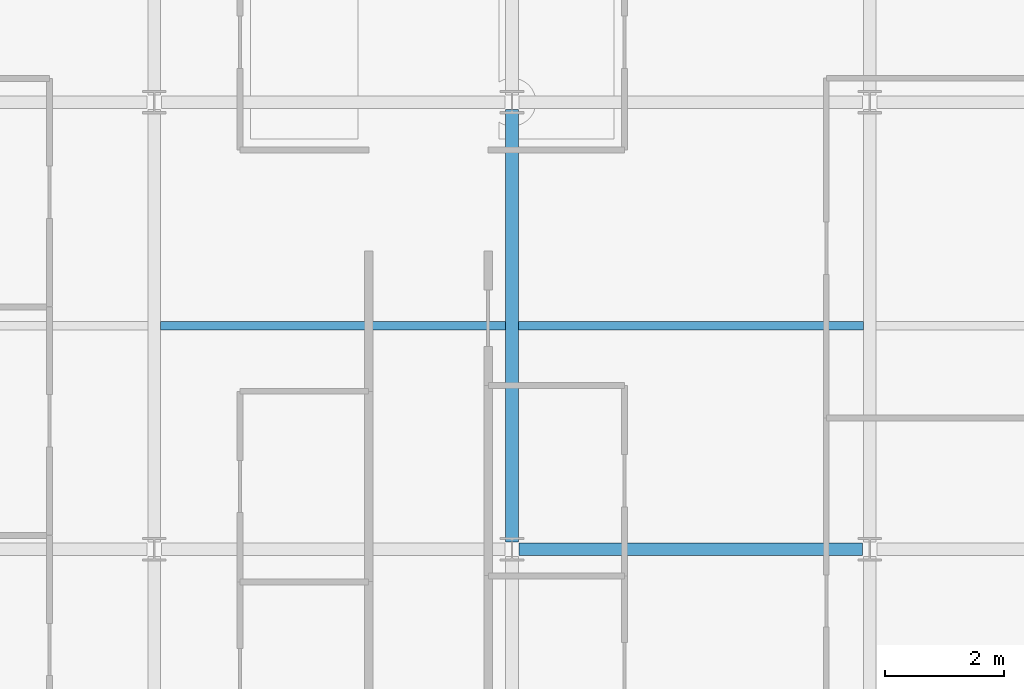
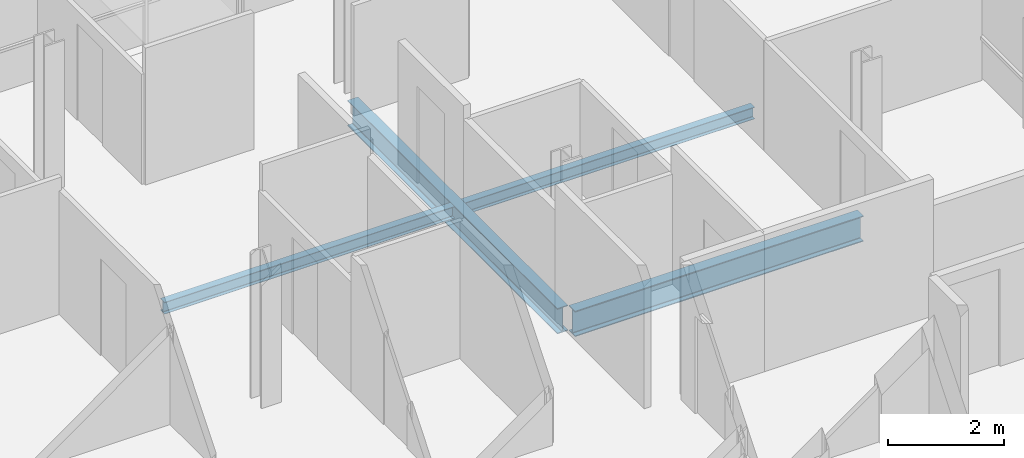
# One storey, part 6 of 33: 4 beams.
"""IFC4 building model written with IfcOpenShell, lengths in metres."""

from ifc_helpers import new_model, si_unit, direction, frame, origin, origin_2d, place, context, subcontext, project, spatial, i_section, extrude, material, material_profile, profile_set, type_object, element, save


model = new_model("IFC4")

# Units and contexts
model_context = context("Model", 3, precision=1e-05, world=origin(), true_north=direction((0.0, 1.0)))
body_context = subcontext(model_context, "Body", "Model", "MODEL_VIEW")
ifc_project = project(units=[si_unit("LENGTHUNIT", "METRE"), si_unit("AREAUNIT", "SQUARE_METRE"), si_unit("VOLUMEUNIT", "CUBIC_METRE"), si_unit("PLANEANGLEUNIT", "RADIAN"), si_unit("MASSUNIT", "GRAM", prefix="KILO")], contexts=[model_context])

# Site, building, storey
site_placement = place(None, origin())
site = spatial("IfcSite", under=ifc_project, at=site_placement, CompositionType="ELEMENT")
building_placement = place(site_placement, origin())
building = spatial("IfcBuilding", under=site, at=building_placement, Name="Brevholm Reach", CompositionType="ELEMENT")
storey_placement = place(building_placement, frame((0.0, 0.0, 189.39990234375)))
storey = spatial("IfcBuildingStorey", under=building, at=storey_placement, Name="L57", CompositionType="ELEMENT", Elevation=189.39990234375)

# Beams
ifc_material_1 = material(Name="Structural Steel S355J2", Category="steel")
ifc_material_profile_1 = material_profile(ifc_material_1, i_section(OverallWidth=0.14599609375, OverallDepth=0.25146484375, WebThickness=0.006103515625, FlangeThickness=0.008544921875, FilletRadius=0.007568359375, at=origin_2d()), Name="UKB 254x146x31")
ifc_profile_set_1 = profile_set([ifc_material_profile_1], Name="Structural Steel S355J2")
beam_type_1 = type_object("IfcBeamType", Name="BM-B254", PredefinedType="BEAM", material=ifc_profile_set_1)
for number, where, z_axis, x_axis, name in (
    (1, (6.10546875, 19.75, -0.335693359375), (1.0, 0.0, 0.0), (0.0, 1.0, 0.0), "L57 Composite Secondary Floor Beam"),
    (2, (12.10546875, 19.75, -0.335693359375), (1.0, 0.0, 0.0), (0.0, 1.0, 0.0), "L57 Composite Secondary Floor Beam"),
):
    element("IfcBeam", number, at=place(storey_placement, frame(where, z_axis=z_axis, x_axis=x_axis)), inside=storey, type_object=beam_type_1, Name=name, PredefinedType="BEAM", context=body_context, shape_type="SweptSolid", body=[
        extrude(i_section(OverallWidth=0.14599609375, OverallDepth=0.25146484375, WebThickness=0.006103515625, FlangeThickness=0.008544921875, FilletRadius=0.007568359375, at=origin_2d()), origin(), (0.0, 0.0, 1.0), 5.7890625),
    ])
ifc_material_2 = material(Name="Structural Steel S355J2", Category="steel")
ifc_material_profile_2 = material_profile(ifc_material_2, i_section(OverallWidth=0.210693359375, OverallDepth=0.53955078125, WebThickness=0.01171875, FlangeThickness=0.018798828125, FilletRadius=0.0126953125, at=origin_2d()), Name="UKB 533x210x109")
ifc_profile_set_2 = profile_set([ifc_material_profile_2], Name="Structural Steel S355J2")
beam_type_2 = type_object("IfcBeamType", Name="BM-SP539", PredefinedType="SPANDREL", material=ifc_profile_set_2)
beam_1_placement = place(storey_placement, frame((12.1201171875, 16.0, -0.479736328125), z_axis=(1.0, 0.0, 0.0), x_axis=(0.0, 1.0, 0.0)))
element("IfcBeam", 3, at=beam_1_placement, inside=storey, type_object=beam_type_2, Name="L57 SP-01B Framing Beam", PredefinedType="SPANDREL", context=body_context, shape_type="SweptSolid", body=[
    extrude(i_section(OverallWidth=0.210693359375, OverallDepth=0.53955078125, WebThickness=0.01171875, FlangeThickness=0.018798828125, FilletRadius=0.0126953125, at=origin_2d()), origin(), (0.0, 0.0, 1.0), 5.759765625),
])
beam_2_placement = place(storey_placement, frame((12.0, 16.1201171875, -0.479736328125), z_axis=(0.0, 1.0, 0.0), x_axis=(-1.0, 0.0, 0.0)))
element("IfcBeam", 4, at=beam_2_placement, inside=storey, type_object=beam_type_2, Name="L57 SP-01B Framing Beam", PredefinedType="SPANDREL", context=body_context, shape_type="SweptSolid", body=[
    extrude(i_section(OverallWidth=0.210693359375, OverallDepth=0.53955078125, WebThickness=0.01171875, FlangeThickness=0.018798828125, FilletRadius=0.0126953125, at=origin_2d()), origin(), (0.0, 0.0, 1.0), 7.259765625),
])

save(model, "model.ifc")
